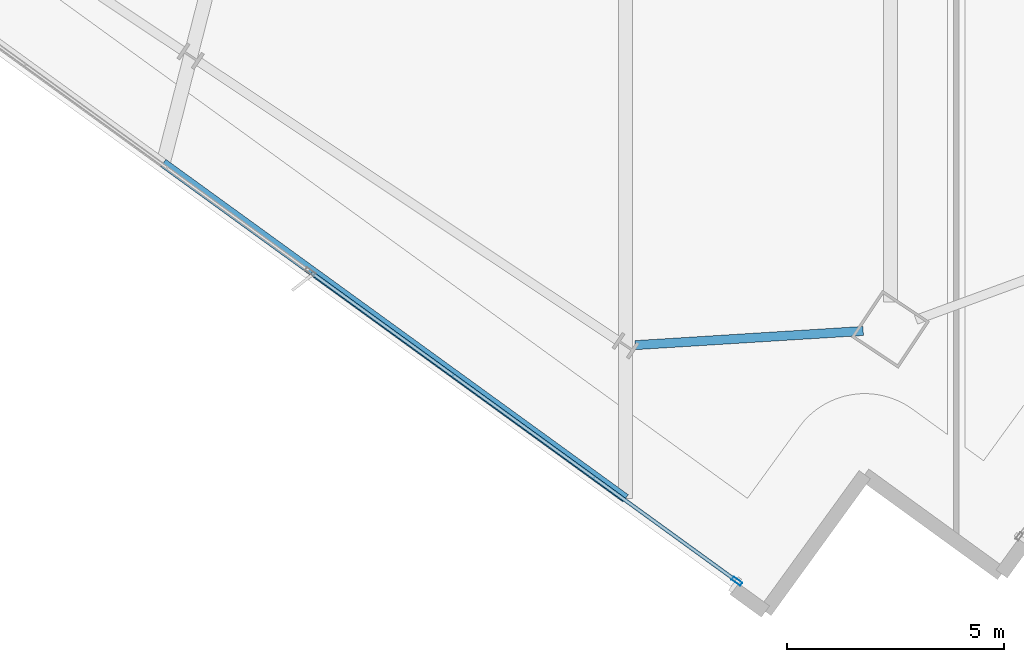
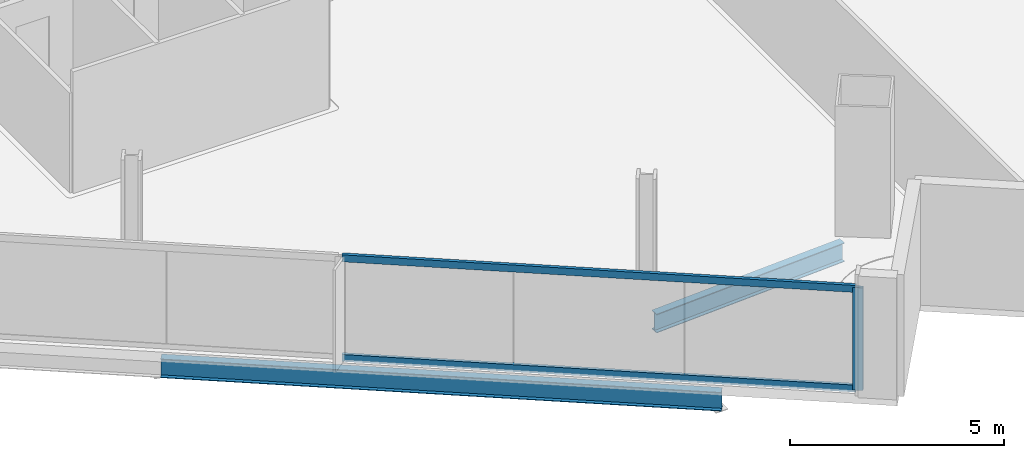
# One storey, part 3 of 29: 3 members, 2 beams, 1 element without a shape of its own.
"""IFC4 building model written with IfcOpenShell, lengths in metres."""

from ifc_helpers import new_model, si_unit, direction, frame, origin, origin_2d, place, context, subcontext, project, spatial, hollow_rectangle, i_section, extrude, material, material_profile, profile_set, type_object, element, aggregate, save


model = new_model("IFC4")

# Units and contexts
model_context = context("Model", 3, precision=1e-05, world=origin(), true_north=direction((0.0, 1.0)))
body_context = subcontext(model_context, "Body", "Model", "MODEL_VIEW")
ifc_project = project(units=[si_unit("LENGTHUNIT", "METRE"), si_unit("AREAUNIT", "SQUARE_METRE"), si_unit("VOLUMEUNIT", "CUBIC_METRE"), si_unit("PLANEANGLEUNIT", "RADIAN"), si_unit("MASSUNIT", "GRAM", prefix="KILO")], contexts=[model_context])

# Site, building, storey
site_placement = place(None, origin())
site = spatial("IfcSite", under=ifc_project, at=site_placement, CompositionType="ELEMENT")
building_placement = place(site_placement, origin())
building = spatial("IfcBuilding", under=site, at=building_placement, Name="Haldenkirk Collegiate Tower", CompositionType="ELEMENT")
storey_placement = place(building_placement, frame((0.0, 0.0, 209.699951171875)))
storey = spatial("IfcBuildingStorey", under=building, at=storey_placement, Name="L52", CompositionType="ELEMENT", Elevation=209.699951171875)

# Beams
ifc_material_1 = material(Name="Steel ASTM A992 Grade 50", Category="steel")
ifc_material_profile_1 = material_profile(ifc_material_1, i_section(OverallWidth=0.2099609375, OverallDepth=0.537109375, WebThickness=0.010986328125, FlangeThickness=0.017333984375, at=origin_2d()), Name="W21X68")
ifc_profile_set_1 = profile_set([ifc_material_profile_1], Name="Steel ASTM A992 Grade 50")
beam_type = type_object("IfcBeamType", Name="BM-SPANDREL-W21X68", PredefinedType="SPANDREL", material=ifc_profile_set_1)
beam_1_placement = place(storey_placement, frame((34.59326171875, 0.966064453125, -0.54833984375), z_axis=(0.99806607268, 0.062162002577, 0.0), x_axis=(-0.062162002577, 0.99806607268, 0.0)))
element("IfcBeam", 1, at=beam_1_placement, inside=storey, type_object=beam_type, Name="L52 perimeter spandrel beam 16", PredefinedType="SPANDREL", context=body_context, shape_type="SweptSolid", body=[
    extrude(i_section(OverallWidth=0.2099609375, OverallDepth=0.537109375, WebThickness=0.010986328125, FlangeThickness=0.017333984375, at=origin_2d()), origin(), (0.0, 0.0, 1.0), 5.270751953125),
])
beam_2_placement = place(storey_placement, frame((23.711669921875, 5.166015625, -0.54833984375), z_axis=(0.809530297145, -0.587078102133, 0.0), x_axis=(0.587078102133, 0.809530297145, 0.0)))
element("IfcBeam", 2, at=beam_2_placement, inside=storey, type_object=beam_type, Name="L52 outer facade edge beam 4B", PredefinedType="SPANDREL", context=body_context, shape_type="SweptSolid", body=[
    extrude(i_section(OverallWidth=0.2099609375, OverallDepth=0.537109375, WebThickness=0.010986328125, FlangeThickness=0.017333984375, at=origin_2d()), origin(), (0.0, 0.0, 1.0), 13.17431640625),
])

# Curtain wall, members
ifc_material_2 = material(Name="Anodised architectural bronze aluminium", Category="aluminium")
curtain_wall_type = type_object("IfcCurtainWallType", Name="CW-SYS1B-CONVEX-HI", PredefinedType="USERDEFINED", material=ifc_material_2)
curtain_wall_placement = place(storey_placement, origin())
curtain_wall = element("IfcCurtainWall", 3, at=curtain_wall_placement, inside=storey, type_object=curtain_wall_type, Name="L52 Upper tower high-wind convex bronze unitised curtain wall", ObjectType="UNITISED CURTAIN WALL", PredefinedType="USERDEFINED")
ifc_material_profile_2 = material_profile(ifc_material_2, hollow_rectangle(XDim=0.0849609375, YDim=0.25, WallThickness=0.0048828125, at=origin_2d()), Name="CW-MUL-1B")
ifc_profile_set_2 = profile_set([ifc_material_profile_2], Name="Anodised architectural bronze aluminium")
member_type_1 = type_object("IfcMemberType", Name="CW-MUL-1B", PredefinedType="MULLION", material=ifc_profile_set_2)
member_1_placement = place(storey_placement, frame((36.943603515625, -4.479248046875, 0.0), z_axis=(0.0, 0.0, 1.0), x_axis=(-0.587077169236, -0.809530973689, 0.0)))
member_1 = element("IfcMember", 4, at=member_1_placement, type_object=member_type_1, Name="CW-1B mullion 1", PredefinedType="MULLION", context=body_context, shape_type="SweptSolid", body=[
    extrude(hollow_rectangle(XDim=0.0849609375, YDim=0.25, WallThickness=0.0048828125, at=origin_2d()), origin(), (0.0, 0.0, 1.0), 2.927978515625),
])
ifc_material_profile_3 = material_profile(ifc_material_2, hollow_rectangle(XDim=0.0849609375, YDim=0.199951171875, WallThickness=0.0048828125, at=origin_2d()), Name="CW-TRN-1B")
ifc_profile_set_3 = profile_set([ifc_material_profile_3], Name="Anodised architectural bronze aluminium")
member_type_2 = type_object("IfcMemberType", Name="CW-TRN-1B", PredefinedType="USERDEFINED", material=ifc_profile_set_3)
member_2_placement = place(storey_placement, frame((36.9091796875, -4.454345703125, 0.04248046875), z_axis=(-0.809528509781, 0.587080566747, 0.0), x_axis=(-0.587080566747, -0.809528509781, 0.0)))
member_2 = element("IfcMember", 5, at=member_2_placement, type_object=member_type_2, Name="CW-1B transom 1.1", ObjectType="TRANSOM", PredefinedType="USERDEFINED", context=body_context, shape_type="SweptSolid", body=[
    extrude(hollow_rectangle(XDim=0.0849609375, YDim=0.199951171875, WallThickness=0.0048828125, at=origin_2d()), origin(), (0.0, 0.0, 1.0), 12.07275390625),
])
member_3_placement = place(storey_placement, frame((36.9091796875, -4.454345703125, 2.885498046875), z_axis=(-0.809528509781, 0.587080566747, 0.0), x_axis=(-0.587080566747, -0.809528509781, 0.0)))
member_3 = element("IfcMember", 6, at=member_3_placement, type_object=member_type_2, Name="CW-1B transom 1.2", ObjectType="TRANSOM", PredefinedType="USERDEFINED", context=body_context, shape_type="SweptSolid", body=[
    extrude(hollow_rectangle(XDim=0.0849609375, YDim=0.199951171875, WallThickness=0.0048828125, at=origin_2d()), origin(), (0.0, 0.0, 1.0), 12.07275390625),
])
aggregate(curtain_wall, [member_1, member_2, member_3])

save(model, "model.ifc")
